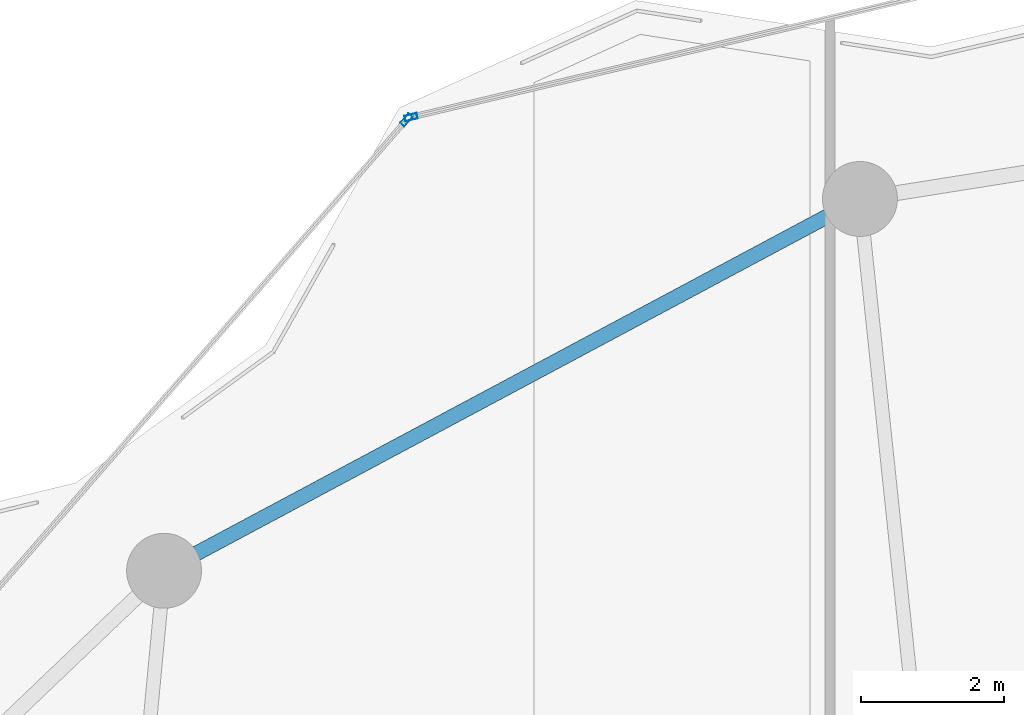
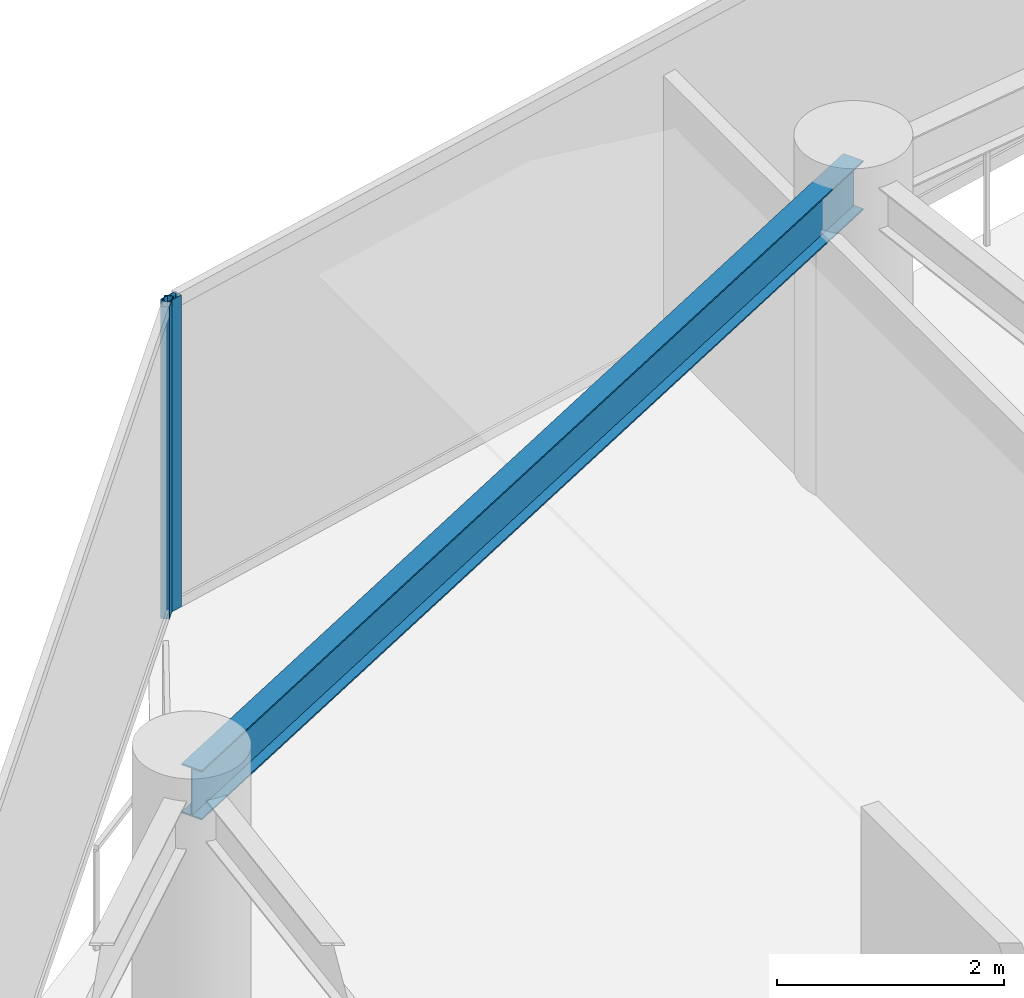
# One storey, part 17 of 28: 2 members, 1 beam, 2 elements without a shape of their own.
"""IFC4 building model written with IfcOpenShell, lengths in metres."""

import ifcopenshell
import ifcopenshell.guid

model = None  # the IFC model being written
_history = None  # IfcOwnerHistory: only IFC2X3 demands one
_inside = {}  # id of a spatial element -> (the spatial element, [elements in it])
_under = {}  # id of a project, library or spatial element -> (it, [spatial elements below it])
_declared = {}  # id of a project -> (the project, [libraries it declares])
_typed = {}  # id of a type object -> (the type object, [elements of that type])
_made_of = {}  # id of a material, layer set ... -> (it, [elements and type objects made of it])


def new_model(schema):
    """Start an empty IFC model of exactly this schema.

    Asked for "IFC4X3", IfcOpenShell would pick the latest addendum, in which some entities
    have other attributes; the version numbers below select the first issue.
    IFC2X3 requires an IfcOwnerHistory on every rooted entity: one is made here for all.
    """
    global model, _history
    if schema == "IFC4X3":
        model = ifcopenshell.file(schema_version=(4, 3, 0, 0))
    else:
        model = ifcopenshell.file(schema=schema)
    _inside.clear()
    _under.clear()
    _declared.clear()
    _typed.clear()
    _made_of.clear()
    _history = None
    if model.schema == "IFC2X3":
        org = make("IfcOrganization", Name="unknown")
        user = make(
            "IfcPersonAndOrganization",
            ThePerson=make("IfcPerson", FamilyName="unknown"),
            TheOrganization=org,
        )
        app = make(
            "IfcApplication",
            ApplicationDeveloper=org,
            Version="unknown",
            ApplicationFullName="unknown",
            ApplicationIdentifier="unknown",
        )
        _history = make(
            "IfcOwnerHistory",
            OwningUser=user,
            OwningApplication=app,
            ChangeAction="ADDED",
            CreationDate=0,
        )
    return model


def make(cls, **values):
    """One entity of the class cls with the attributes given. An attribute that is None is left unset."""
    return model.create_entity(
        cls, **{name: value for name, value in values.items() if value is not None}
    )


def rooted(cls, **values):
    """An entity with a GlobalId (a new one), such as an element, a storey or a relation."""
    return make(cls, GlobalId=ifcopenshell.guid.new(), OwnerHistory=_history, **values)


def si_unit(unit_type, name, prefix=None):
    """IfcSIUnit, for example si_unit("LENGTHUNIT", "METRE", prefix="MILLI")."""
    return make("IfcSIUnit", UnitType=unit_type, Prefix=prefix, Name=name)


def assignment(units):
    """IfcUnitAssignment: the units of a project."""
    return None if units is None else make("IfcUnitAssignment", Units=units)


def point(xyz):
    """IfcCartesianPoint."""
    return None if xyz is None else make("IfcCartesianPoint", Coordinates=xyz)


def direction(xyz):
    """IfcDirection."""
    return None if xyz is None else make("IfcDirection", DirectionRatios=xyz)


def frame(location, z_axis=None, x_axis=None):
    """IfcAxis2Placement3D, a coordinate frame: its origin and axes. An axis left out is left unset."""
    return make(
        "IfcAxis2Placement3D",
        Location=point(location),
        Axis=direction(z_axis),
        RefDirection=direction(x_axis),
    )


def frame_2d(location, x_axis=None):
    """IfcAxis2Placement2D, a coordinate frame in the plane: its origin and x axis."""
    return make(
        "IfcAxis2Placement2D", Location=point(location), RefDirection=direction(x_axis)
    )


def origin():
    """The frame at (0, 0, 0) with its axes left unset."""
    return frame((0.0, 0.0, 0.0))


def origin_2d():
    """The frame at (0, 0) in the plane with its x axis left unset."""
    return frame_2d((0.0, 0.0))


def place(relative_to, where):
    """IfcLocalPlacement: puts the frame where relative to a parent placement (None: the world)."""
    return make(
        "IfcLocalPlacement", PlacementRelTo=relative_to, RelativePlacement=where
    )


def context(
    kind, dimensions, precision=None, world=None, true_north=None, identifier=None
):
    """IfcGeometricRepresentationContext, for example the 3D "Model" context."""
    return make(
        "IfcGeometricRepresentationContext",
        ContextIdentifier=identifier,
        ContextType=kind,
        CoordinateSpaceDimension=dimensions,
        Precision=precision,
        WorldCoordinateSystem=world,
        TrueNorth=true_north,
    )


def subcontext(parent, identifier, kind, view, scale=None):
    """IfcGeometricRepresentationSubContext, for example "Body" below "Model"."""
    return make(
        "IfcGeometricRepresentationSubContext",
        ContextIdentifier=identifier,
        ContextType=kind,
        ParentContext=parent,
        TargetScale=scale,
        TargetView=view,
    )


def project(units=None, contexts=None):
    """IfcProject with its units and contexts."""
    return rooted(
        "IfcProject",
        Name="project",
        RepresentationContexts=contexts,
        UnitsInContext=assignment(units),
    )


def spatial(cls, under=None, at=None, **own):
    """A site, building, storey or space (cls), placed at a placement, below another one or the project."""
    s = rooted(cls, ObjectPlacement=at, **own)
    if under is not None:
        _under.setdefault(under.id(), (under, []))[1].append(s)
    return s


def profile(cls, at=None, kind="AREA", **sizes):
    """A parametric profile (cls). Its sizes go by their IFC names, for example OverallWidth=200.0."""
    return make(cls, ProfileType=kind, Position=at, **sizes)


def hollow_rectangle(**sizes):
    """IfcRectangleHollowProfileDef."""
    return profile("IfcRectangleHollowProfileDef", **sizes)


def i_section(**sizes):
    """IfcIShapeProfileDef."""
    return profile("IfcIShapeProfileDef", **sizes)


def extrude(swept, where, along, depth):
    """IfcExtrudedAreaSolid: the profile swept, set in the frame where, extruded along a direction by depth."""
    return make(
        "IfcExtrudedAreaSolid",
        SweptArea=swept,
        Position=where,
        ExtrudedDirection=direction(along),
        Depth=depth,
    )


def shape(context_of_items, identifier, shape_type, items):
    """IfcShapeRepresentation: the items that make up one representation, for example the "Body"."""
    return make(
        "IfcShapeRepresentation",
        ContextOfItems=context_of_items,
        RepresentationIdentifier=identifier,
        RepresentationType=shape_type,
        Items=items,
    )


def material(Name=None, Category=None):
    """IfcMaterial."""
    return make("IfcMaterial", Name=Name, Category=Category)


def layer(
    of_material, thickness, ventilated=None, Name=None, Category=None, Priority=None
):
    """IfcMaterialLayer: one layer of a wall or slab, of a material (None: an air gap)."""
    return make(
        "IfcMaterialLayer",
        Material=of_material,
        LayerThickness=thickness,
        IsVentilated=ventilated,
        Name=Name,
        Category=Category,
        Priority=Priority,
    )


def layer_set(layers, Name=None):
    """IfcMaterialLayerSet."""
    return make("IfcMaterialLayerSet", MaterialLayers=layers, LayerSetName=Name)


def material_profile(
    of_material, cross_section, Name=None, Category=None, Priority=None
):
    """IfcMaterialProfile: a cross section and its material."""
    return make(
        "IfcMaterialProfile",
        Name=Name,
        Material=of_material,
        Profile=cross_section,
        Priority=Priority,
        Category=Category,
    )


def profile_set(profiles, Name=None, composite=None):
    """IfcMaterialProfileSet."""
    return make(
        "IfcMaterialProfileSet",
        Name=Name,
        MaterialProfiles=profiles,
        CompositeProfile=composite,
    )


def made_of(thing, what):
    """Note that an element or type object is made of a material, layer set ...; save() writes the relation."""
    if what is not None:
        _made_of.setdefault(what.id(), (what, []))[1].append(thing)
    return thing


def type_object(cls, material=None, **own):
    """A type object (cls), such as IfcWallType, which elements share."""
    return made_of(rooted(cls, **own), material)


def element(
    cls,
    number,
    at=None,
    inside=None,
    cuts=None,
    type_object=None,
    material=None,
    context=None,
    identifier="Body",
    shape_type=None,
    held_by="IfcProductDefinitionShape",
    body=None,
    shapes=None,
    **own,
):
    """One element of the class cls, such as IfcWall. Its Tag is "e" and its number.

    at: its placement. inside: the storey or other place that contains it. cuts: it is an
    opening in that element (IfcRelVoidsElement). A single representation is given by context,
    identifier, shape_type and body (its items); several are given by shapes. held_by: the class
    of the entity that holds the representations. save() writes the other relations.
    """
    e = rooted(cls, Tag="e%d" % number, ObjectPlacement=at, **own)
    if body is not None:
        shapes = [shape(context, identifier, shape_type, body)]
    if shapes is not None:
        e.Representation = make(held_by, Representations=shapes)
    if inside is not None:
        _inside.setdefault(inside.id(), (inside, []))[1].append(e)
    if cuts is not None:
        rooted(
            "IfcRelVoidsElement", RelatingBuildingElement=cuts, RelatedOpeningElement=e
        )
    if type_object is not None:
        _typed.setdefault(type_object.id(), (type_object, []))[1].append(e)
    return made_of(e, material)


def aggregate(whole, parts):
    """IfcRelAggregates: a whole, such as a stair, and the parts it consists of."""
    return rooted("IfcRelAggregates", RelatingObject=whole, RelatedObjects=parts)


def save(model, path):
    """Write the relations noted so far, then the file.

    IfcRelAggregates (storeys below a building ...), IfcRelContainedInSpatialStructure (elements
    in a storey), IfcRelDefinesByType, IfcRelAssociatesMaterial and IfcRelDeclares: one each for
    every whole, place, type object, material and project.
    """
    for whole, parts in _under.values():
        aggregate(whole, parts)
    for where, things in _inside.values():
        rooted(
            "IfcRelContainedInSpatialStructure",
            RelatedElements=things,
            RelatingStructure=where,
        )
    for kind, things in _typed.values():
        rooted("IfcRelDefinesByType", RelatedObjects=things, RelatingType=kind)
    for what, things in _made_of.values():
        rooted("IfcRelAssociatesMaterial", RelatedObjects=things, RelatingMaterial=what)
    for by, libraries in _declared.values():
        rooted("IfcRelDeclares", RelatingContext=by, RelatedDefinitions=libraries)
    model.write(path)


model = new_model("IFC4")

# Units and contexts
model_context = context("Model", 3, precision=1e-05, world=origin(), true_north=direction((0.0, 1.0)))
body_context = subcontext(model_context, "Body", "Model", "MODEL_VIEW")
ifc_project = project(units=[si_unit("LENGTHUNIT", "METRE"), si_unit("AREAUNIT", "SQUARE_METRE"), si_unit("VOLUMEUNIT", "CUBIC_METRE"), si_unit("PLANEANGLEUNIT", "RADIAN"), si_unit("MASSUNIT", "GRAM", prefix="KILO")], contexts=[model_context])

# Site, building, storey
site_placement = place(None, origin())
site = spatial("IfcSite", under=ifc_project, at=site_placement, CompositionType="ELEMENT")
building_placement = place(site_placement, origin())
building = spatial("IfcBuilding", under=site, at=building_placement, Name="Kazevale Care Tower and Concert Hall", CompositionType="ELEMENT")
storey_placement = place(building_placement, frame((0.0, 0.0, 246.0)))
storey = spatial("IfcBuildingStorey", under=building, at=storey_placement, Name="L65", CompositionType="ELEMENT", Elevation=246.0)

# Curtain wall, member
ifc_material_1 = material(Name="Aluminium 6063-T6 and Low-E Glass", Category="aluminium")
ifc_layer_1 = layer(ifc_material_1, 0.179931640625)
ifc_layer_set_1 = layer_set([ifc_layer_1], Name="Aluminium 6063-T6 and Low-E Glass")
curtain_wall_type_1 = type_object("IfcCurtainWallType", Name="Convex Checkerboard Finned Curtain Wall CW-2", PredefinedType="NOTDEFINED", material=ifc_layer_set_1)
curtain_wall_1_placement = place(storey_placement, origin())
curtain_wall_1 = element("IfcCurtainWall", 1, at=curtain_wall_1_placement, inside=storey, type_object=curtain_wall_type_1, Name="cw:L65:f14", PredefinedType="NOTDEFINED")
ifc_material_2 = material(Name="Aluminium 6063-T6", Category="aluminium")
ifc_material_profile_1 = material_profile(ifc_material_2, hollow_rectangle(XDim=0.080078125, YDim=0.179931640625, WallThickness=0.0048828125, at=origin_2d()), Name="ALU80x180x5")
ifc_profile_set_1 = profile_set([ifc_material_profile_1], Name="Aluminium 6063-T6")
member_type_1 = type_object("IfcMemberType", Name="CW-2 Mullion ALU80x180x5", PredefinedType="MULLION", material=ifc_profile_set_1)
member_1_placement = place(storey_placement, frame((27.145751953125, 61.326904296875, 0.0), z_axis=(0.0, 0.0, 1.0), x_axis=(-0.753738225685, 0.657174776708, 0.0)))
member_1 = element("IfcMember", 2, at=member_1_placement, type_object=member_type_1, Name="CW-2 mullion 2", PredefinedType="MULLION", context=body_context, shape_type="SweptSolid", body=[
    extrude(hollow_rectangle(XDim=0.080078125, YDim=0.179931640625, WallThickness=0.0048828125, at=origin_2d()), origin(), (0.0, 0.0, 1.0), 3.360107421875),
])
aggregate(curtain_wall_1, [member_1])

ifc_layer_2 = layer(ifc_material_1, 0.179931640625)
ifc_layer_set_2 = layer_set([ifc_layer_2], Name="Aluminium 6063-T6 and Low-E Glass")
curtain_wall_type_2 = type_object("IfcCurtainWallType", Name="Waist & Upper Residential Curtain Wall CW-4", PredefinedType="NOTDEFINED", material=ifc_layer_set_2)
curtain_wall_2_placement = place(storey_placement, origin())
curtain_wall_2 = element("IfcCurtainWall", 3, at=curtain_wall_2_placement, inside=storey, type_object=curtain_wall_type_2, Name="cw:L65:f15", PredefinedType="NOTDEFINED")
ifc_material_profile_2 = material_profile(ifc_material_2, hollow_rectangle(XDim=0.080078125, YDim=0.179931640625, WallThickness=0.0048828125, at=origin_2d()), Name="ALU80x180x5")
ifc_profile_set_2 = profile_set([ifc_material_profile_2], Name="Aluminium 6063-T6")
member_type_2 = type_object("IfcMemberType", Name="CW-4 Mullion ALU80x180x5", PredefinedType="MULLION", material=ifc_profile_set_2)
member_2_placement = place(storey_placement, frame((27.2109375, 61.3662109375, 0.0), z_axis=(0.0, 0.0, 1.0), x_axis=(-0.230439111929, 0.973086746233, 0.0)))
member_2 = element("IfcMember", 4, at=member_2_placement, type_object=member_type_2, Name="CW-4 mullion 1", PredefinedType="MULLION", context=body_context, shape_type="SweptSolid", body=[
    extrude(hollow_rectangle(XDim=0.080078125, YDim=0.179931640625, WallThickness=0.0048828125, at=origin_2d()), origin(), (0.0, 0.0, 1.0), 3.360107421875),
])
aggregate(curtain_wall_2, [member_2])

# Beam
ifc_material_3 = material(Name="Steel ASTM A572 Gr 50", Category="steel")
ifc_material_profile_3 = material_profile(ifc_material_3, i_section(OverallWidth=0.208984375, OverallDepth=0.532958984375, WebThickness=0.01025390625, FlangeThickness=0.015625, at=origin_2d()), Name="W530x92")
ifc_profile_set_3 = profile_set([ifc_material_profile_3], Name="Steel ASTM A572 Gr 50")
beam_type = type_object("IfcBeamType", Name="Upper Ring Beam W530x92", PredefinedType="BEAM", material=ifc_profile_set_3)
beam_placement = place(storey_placement, frame((33.5, 60.219970703125, 3.093505859375), z_axis=(-0.881978519833, -0.471289603697, 0.0), x_axis=(0.471289603697, -0.881978519833, 0.0)))
element("IfcBeam", 5, at=beam_placement, inside=storey, type_object=beam_type, Name="beam:L65:ring:06", PredefinedType="BEAM", context=body_context, shape_type="SweptSolid", body=[
    extrude(i_section(OverallWidth=0.208984375, OverallDepth=0.532958984375, WebThickness=0.01025390625, FlangeThickness=0.015625, at=origin_2d()), origin(), (0.0, 0.0, 1.0), 11.0546875),
])

save(model, "model.ifc")
